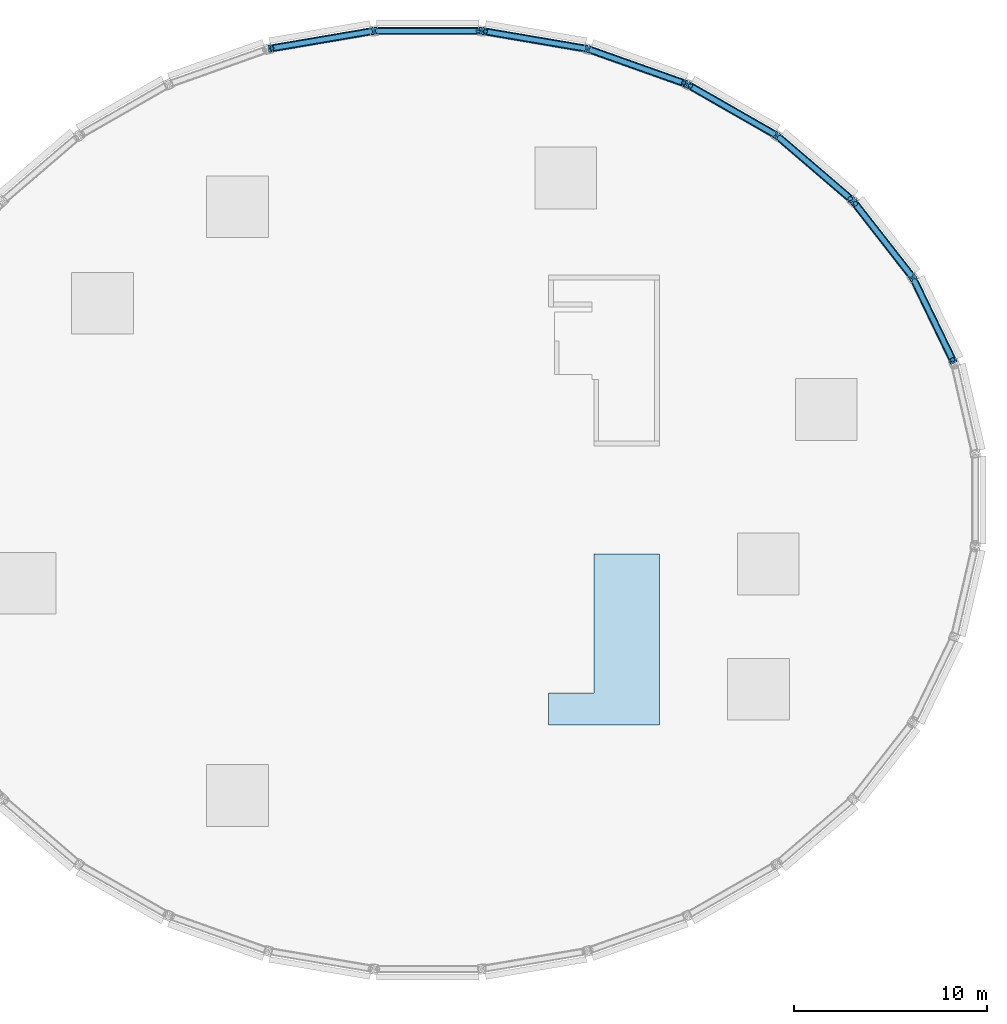
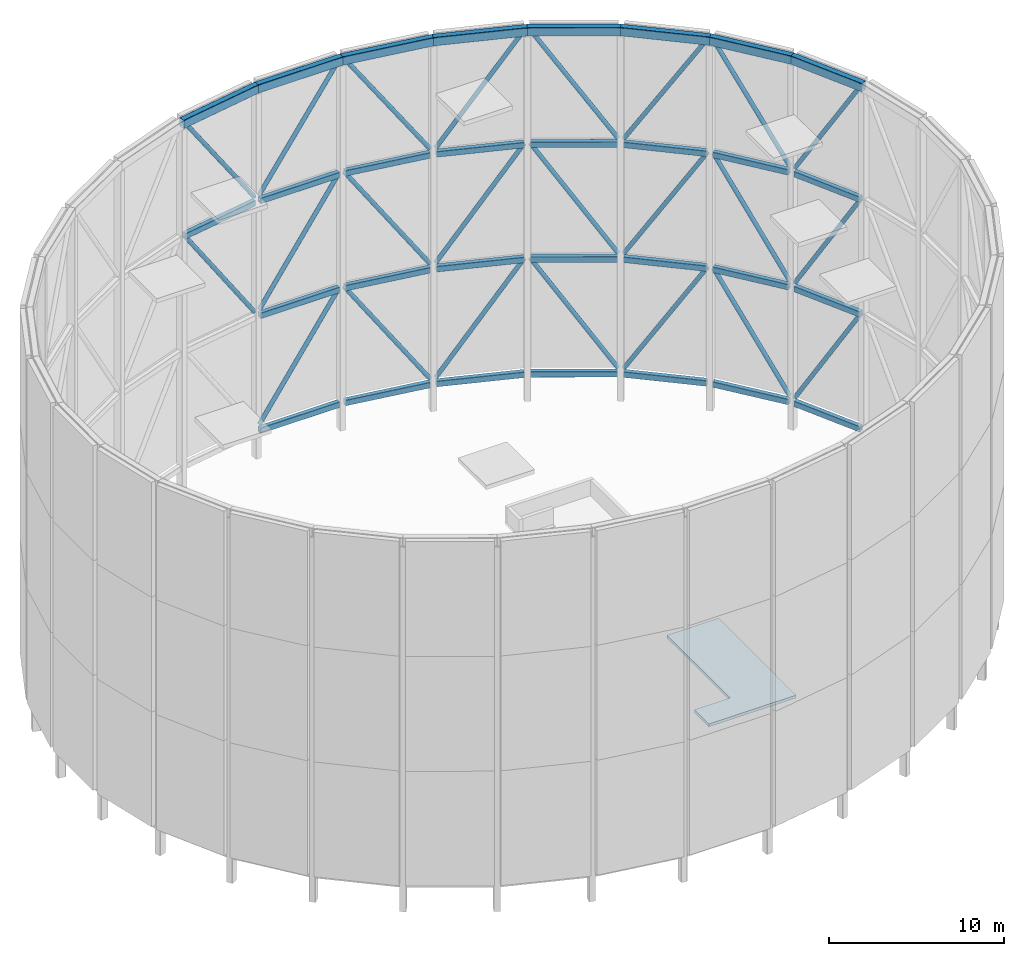
# One storey, part 6 of 8: 30 beams, 23 members, 1 slab.
"""IFC4 building model written with IfcOpenShell, lengths in metres."""

from ifc_helpers import new_model, si_unit, direction, frame, origin, origin_2d, place, context, subcontext, project, spatial, polyline, hollow_rectangle, hollow_circle, outline, extrude, material, layer, layer_set, material_profile, profile_set, type_object, element, save


model = new_model("IFC4")

# Units and contexts
model_context = context("Model", 3, precision=1e-05, world=origin(), true_north=direction((0.0, 1.0)))
body_context = subcontext(model_context, "Body", "Model", "MODEL_VIEW")
ifc_project = project(units=[si_unit("LENGTHUNIT", "METRE"), si_unit("AREAUNIT", "SQUARE_METRE"), si_unit("VOLUMEUNIT", "CUBIC_METRE"), si_unit("PLANEANGLEUNIT", "RADIAN"), si_unit("MASSUNIT", "GRAM", prefix="KILO")], contexts=[model_context])

# Site, building, storey
site_placement = place(None, origin())
site = spatial("IfcSite", under=ifc_project, at=site_placement, CompositionType="ELEMENT")
building_placement = place(site_placement, origin())
building = spatial("IfcBuilding", under=site, at=building_placement, Name="Halqa Exchange Tower", CompositionType="ELEMENT")
storey_placement = place(building_placement, frame((0.0, 0.0, 355.300048828125)))
storey = spatial("IfcBuildingStorey", under=building, at=storey_placement, Name="Roof level crown frame", CompositionType="ELEMENT", Elevation=355.300048828125)

# Members
ifc_material_1 = material(Name="Steel S355", Category="steel")
ifc_material_profile_1 = material_profile(ifc_material_1, hollow_circle(Radius=0.136474609375, WallThickness=0.01611328125, at=origin_2d()), Name="CHS 273x16")
ifc_profile_set_1 = profile_set([ifc_material_profile_1], Name="Steel S355")
member_type = type_object("IfcMemberType", Name="CROWN FRAME brace CHS 273x16", PredefinedType="BRACE", material=ifc_profile_set_1)
member_1_placement = place(storey_placement, frame((27.190185546875, 7.26220703125, 9.800048828125), z_axis=(-0.222905657614, 0.461287809526, -0.85879370316), x_axis=(-0.900387276879, -0.435089360516, 0.0)))
element("IfcMember", 1, at=member_1_placement, inside=storey, type_object=member_type, Name="Crown frame brace 2.2", PredefinedType="BRACE", context=body_context, shape_type="SweptSolid", body=[
    extrude(hollow_circle(Radius=0.136474609375, WallThickness=0.01611328125, at=origin_2d()), origin(), (0.0, 0.0, 1.0), 8.849853515625),
])
member_2_placement = place(storey_placement, frame((25.01806640625, 11.665283203125, 2.199951171875), z_axis=(-0.32180529833, 0.412815132212, 0.852071016162), x_axis=(-0.788678776102, -0.614805488041, 0.0)))
element("IfcMember", 2, at=member_2_placement, inside=storey, type_object=member_type, Name="Crown frame brace 2.3", PredefinedType="BRACE", context=body_context, shape_type="SweptSolid", body=[
    extrude(hollow_circle(Radius=0.136474609375, WallThickness=0.01611328125, at=origin_2d()), origin(), (0.0, 0.0, 1.0), 8.919677734375),
])
member_3_placement = place(storey_placement, frame((21.886474609375, 15.62109375, 9.800048828125), z_axis=(-0.406814817738, 0.34871778863, -0.844332640588), x_axis=(-0.650812216448, -0.759238736447, 0.0)))
element("IfcMember", 3, at=member_3_placement, inside=storey, type_object=member_type, Name="Crown frame brace 2.4", PredefinedType="BRACE", context=body_context, shape_type="SweptSolid", body=[
    extrude(hollow_circle(Radius=0.136474609375, WallThickness=0.01611328125, at=origin_2d()), origin(), (0.0, 0.0, 1.0), 9.001220703125),
])
member_4_placement = place(storey_placement, frame((17.915283203125, 18.97802734375, 2.199951171875), z_axis=(-0.475152360308, 0.27213002748, 0.836764890897), x_axis=(-0.496984556947, -0.867759384943, 0.0)))
element("IfcMember", 4, at=member_4_placement, inside=storey, type_object=member_type, Name="Crown frame brace 2.5", PredefinedType="BRACE", context=body_context, shape_type="SweptSolid", body=[
    extrude(hollow_circle(Radius=0.136474609375, WallThickness=0.01611328125, at=origin_2d()), origin(), (0.0, 0.0, 1.0), 9.082763671875),
])
member_5_placement = place(storey_placement, frame((13.255615234375, 21.607666015625, 9.800048828125), z_axis=(-0.52490509772, 0.186351314235, -0.830510581552), x_axis=(-0.334560791797, -0.942374170164, 0.0)))
element("IfcMember", 5, at=member_5_placement, inside=storey, type_object=member_type, Name="Crown frame brace 2.6", PredefinedType="BRACE", context=body_context, shape_type="SweptSolid", body=[
    extrude(hollow_circle(Radius=0.136474609375, WallThickness=0.01611328125, at=origin_2d()), origin(), (0.0, 0.0, 1.0), 9.151123046875),
])
member_6_placement = place(storey_placement, frame((8.085693359375, 23.40869140625, 2.199951171875), z_axis=(-0.555086491161, 0.094638132042, 0.826391318501), x_axis=(-0.168067416098, -0.985775503675, 0.0)))
element("IfcMember", 6, at=member_6_placement, inside=storey, type_object=member_type, Name="Crown frame brace 2.7", PredefinedType="BRACE", context=body_context, shape_type="SweptSolid", body=[
    extrude(hollow_circle(Radius=0.136474609375, WallThickness=0.01611328125, at=origin_2d()), origin(), (0.0, 0.0, 1.0), 9.19677734375),
])
member_7_placement = place(storey_placement, frame((2.603515625, 24.31103515625, 9.800048828125), z_axis=(-0.565198711806, 0.0, -0.824954796442), x_axis=(0.0, -1.0, 0.0)))
element("IfcMember", 7, at=member_7_placement, inside=storey, type_object=member_type, Name="Crown frame brace 2.8", PredefinedType="BRACE", context=body_context, shape_type="SweptSolid", body=[
    extrude(hollow_circle(Radius=0.136474609375, WallThickness=0.01611328125, at=origin_2d()), origin(), (0.0, 0.0, 1.0), 9.212646484375),
])
member_8_placement = place(storey_placement, frame((27.190185546875, 7.26220703125, 17.800048828125), z_axis=(-0.222905657614, 0.461287809526, -0.85879370316), x_axis=(-0.900387276879, -0.435089360516, 0.0)))
element("IfcMember", 8, at=member_8_placement, inside=storey, type_object=member_type, Name="Crown frame brace 3.2", PredefinedType="BRACE", context=body_context, shape_type="SweptSolid", body=[
    extrude(hollow_circle(Radius=0.136474609375, WallThickness=0.01611328125, at=origin_2d()), origin(), (0.0, 0.0, 1.0), 8.849853515625),
])
member_9_placement = place(storey_placement, frame((25.01806640625, 11.665283203125, 10.199951171875), z_axis=(-0.32180529833, 0.412815132212, 0.852071016162), x_axis=(-0.788678776102, -0.614805488041, 0.0)))
element("IfcMember", 9, at=member_9_placement, inside=storey, type_object=member_type, Name="Crown frame brace 3.3", PredefinedType="BRACE", context=body_context, shape_type="SweptSolid", body=[
    extrude(hollow_circle(Radius=0.136474609375, WallThickness=0.01611328125, at=origin_2d()), origin(), (0.0, 0.0, 1.0), 8.919677734375),
])
member_10_placement = place(storey_placement, frame((21.886474609375, 15.62109375, 17.800048828125), z_axis=(-0.406814817738, 0.34871778863, -0.844332640588), x_axis=(-0.650812216448, -0.759238736447, 0.0)))
element("IfcMember", 10, at=member_10_placement, inside=storey, type_object=member_type, Name="Crown frame brace 3.4", PredefinedType="BRACE", context=body_context, shape_type="SweptSolid", body=[
    extrude(hollow_circle(Radius=0.136474609375, WallThickness=0.01611328125, at=origin_2d()), origin(), (0.0, 0.0, 1.0), 9.001220703125),
])
member_11_placement = place(storey_placement, frame((17.915283203125, 18.97802734375, 10.199951171875), z_axis=(-0.475152360308, 0.27213002748, 0.836764890897), x_axis=(-0.496984556947, -0.867759384943, 0.0)))
element("IfcMember", 11, at=member_11_placement, inside=storey, type_object=member_type, Name="Crown frame brace 3.5", PredefinedType="BRACE", context=body_context, shape_type="SweptSolid", body=[
    extrude(hollow_circle(Radius=0.136474609375, WallThickness=0.01611328125, at=origin_2d()), origin(), (0.0, 0.0, 1.0), 9.082763671875),
])
member_12_placement = place(storey_placement, frame((13.255615234375, 21.607666015625, 17.800048828125), z_axis=(-0.52490509772, 0.186351314235, -0.830510581552), x_axis=(-0.334560791797, -0.942374170164, 0.0)))
element("IfcMember", 12, at=member_12_placement, inside=storey, type_object=member_type, Name="Crown frame brace 3.6", PredefinedType="BRACE", context=body_context, shape_type="SweptSolid", body=[
    extrude(hollow_circle(Radius=0.136474609375, WallThickness=0.01611328125, at=origin_2d()), origin(), (0.0, 0.0, 1.0), 9.151123046875),
])
member_13_placement = place(storey_placement, frame((8.085693359375, 23.40869140625, 10.199951171875), z_axis=(-0.555086491161, 0.094638132042, 0.826391318501), x_axis=(-0.168067416098, -0.985775503675, 0.0)))
element("IfcMember", 13, at=member_13_placement, inside=storey, type_object=member_type, Name="Crown frame brace 3.7", PredefinedType="BRACE", context=body_context, shape_type="SweptSolid", body=[
    extrude(hollow_circle(Radius=0.136474609375, WallThickness=0.01611328125, at=origin_2d()), origin(), (0.0, 0.0, 1.0), 9.19677734375),
])
member_14_placement = place(storey_placement, frame((2.603515625, 24.31103515625, 17.800048828125), z_axis=(-0.565198711806, 0.0, -0.824954796442), x_axis=(0.0, -1.0, 0.0)))
element("IfcMember", 14, at=member_14_placement, inside=storey, type_object=member_type, Name="Crown frame brace 3.8", PredefinedType="BRACE", context=body_context, shape_type="SweptSolid", body=[
    extrude(hollow_circle(Radius=0.136474609375, WallThickness=0.01611328125, at=origin_2d()), origin(), (0.0, 0.0, 1.0), 9.212646484375),
])
member_15_placement = place(storey_placement, frame((-2.980712890625, 24.279052734375, 10.199951171875), z_axis=(-0.555086491161, -0.094638132042, 0.826391318501), x_axis=(0.168067416098, -0.985775503675, 0.0)))
element("IfcMember", 15, at=member_15_placement, inside=storey, type_object=member_type, Name="Crown frame brace 3.9", PredefinedType="BRACE", context=body_context, shape_type="SweptSolid", body=[
    extrude(hollow_circle(Radius=0.136474609375, WallThickness=0.01611328125, at=origin_2d()), origin(), (0.0, 0.0, 1.0), 9.19677734375),
])
member_16_placement = place(storey_placement, frame((27.190185546875, 7.26220703125, 25.699951171875), z_axis=(-0.22508827003, 0.465804574651, -0.855781145462), x_axis=(-0.900387276879, -0.435089360516, 0.0)))
element("IfcMember", 16, at=member_16_placement, inside=storey, type_object=member_type, Name="Crown frame brace 4.2", PredefinedType="BRACE", context=body_context, shape_type="SweptSolid", body=[
    extrude(hollow_circle(Radius=0.136474609375, WallThickness=0.01611328125, at=origin_2d()), origin(), (0.0, 0.0, 1.0), 8.763916015625),
])
member_17_placement = place(storey_placement, frame((25.01806640625, 11.665283203125, 18.199951171875), z_axis=(-0.324906448646, 0.416793319595, 0.848951782122), x_axis=(-0.788678776102, -0.614805488041, 0.0)))
element("IfcMember", 17, at=member_17_placement, inside=storey, type_object=member_type, Name="Crown frame brace 4.3", PredefinedType="BRACE", context=body_context, shape_type="SweptSolid", body=[
    extrude(hollow_circle(Radius=0.136474609375, WallThickness=0.01611328125, at=origin_2d()), origin(), (0.0, 0.0, 1.0), 8.83447265625),
])
member_18_placement = place(storey_placement, frame((21.886474609375, 15.62109375, 25.699951171875), z_axis=(-0.410663287748, 0.352016660482, -0.841094486273), x_axis=(-0.650812216448, -0.759238736447, 0.0)))
element("IfcMember", 18, at=member_18_placement, inside=storey, type_object=member_type, Name="Crown frame brace 4.4", PredefinedType="BRACE", context=body_context, shape_type="SweptSolid", body=[
    extrude(hollow_circle(Radius=0.136474609375, WallThickness=0.01611328125, at=origin_2d()), origin(), (0.0, 0.0, 1.0), 8.9169921875),
])
member_19_placement = place(storey_placement, frame((17.915283203125, 18.97802734375, 18.199951171875), z_axis=(-0.479565967415, 0.274657795673, 0.833414409627), x_axis=(-0.496984556947, -0.867759384943, 0.0)))
element("IfcMember", 19, at=member_19_placement, inside=storey, type_object=member_type, Name="Crown frame brace 4.5", PredefinedType="BRACE", context=body_context, shape_type="SweptSolid", body=[
    extrude(hollow_circle(Radius=0.136474609375, WallThickness=0.01611328125, at=origin_2d()), origin(), (0.0, 0.0, 1.0), 8.9990234375),
])
member_20_placement = place(storey_placement, frame((13.255615234375, 21.607666015625, 25.699951171875), z_axis=(-0.529707235587, 0.188056164705, -0.827070204688), x_axis=(-0.334560791797, -0.942374170164, 0.0)))
element("IfcMember", 20, at=member_20_placement, inside=storey, type_object=member_type, Name="Crown frame brace 4.6", PredefinedType="BRACE", context=body_context, shape_type="SweptSolid", body=[
    extrude(hollow_circle(Radius=0.136474609375, WallThickness=0.01611328125, at=origin_2d()), origin(), (0.0, 0.0, 1.0), 9.068115234375),
])
member_21_placement = place(storey_placement, frame((8.085693359375, 23.40869140625, 18.199951171875), z_axis=(-0.560113810766, 0.095495252768, 0.822893173923), x_axis=(-0.168067416098, -0.985775503675, 0.0)))
element("IfcMember", 21, at=member_21_placement, inside=storey, type_object=member_type, Name="Crown frame brace 4.7", PredefinedType="BRACE", context=body_context, shape_type="SweptSolid", body=[
    extrude(hollow_circle(Radius=0.136474609375, WallThickness=0.01611328125, at=origin_2d()), origin(), (0.0, 0.0, 1.0), 9.1142578125),
])
member_22_placement = place(storey_placement, frame((2.603515625, 24.31103515625, 25.699951171875), z_axis=(-0.570299593571, 0.0, -0.821436773935), x_axis=(0.0, -1.0, 0.0)))
element("IfcMember", 22, at=member_22_placement, inside=storey, type_object=member_type, Name="Crown frame brace 4.8", PredefinedType="BRACE", context=body_context, shape_type="SweptSolid", body=[
    extrude(hollow_circle(Radius=0.136474609375, WallThickness=0.01611328125, at=origin_2d()), origin(), (0.0, 0.0, 1.0), 9.13037109375),
])
member_23_placement = place(storey_placement, frame((-2.980712890625, 24.279052734375, 18.199951171875), z_axis=(-0.560113810766, -0.095495252768, 0.822893173923), x_axis=(0.168067416098, -0.985775503675, 0.0)))
element("IfcMember", 23, at=member_23_placement, inside=storey, type_object=member_type, Name="Crown frame brace 4.9", PredefinedType="BRACE", context=body_context, shape_type="SweptSolid", body=[
    extrude(hollow_circle(Radius=0.136474609375, WallThickness=0.01611328125, at=origin_2d()), origin(), (0.0, 0.0, 1.0), 9.1142578125),
])

# Beams
ifc_material_profile_2 = material_profile(ifc_material_1, hollow_rectangle(XDim=0.39990234375, YDim=0.60009765625, WallThickness=0.02490234375, InnerFilletRadius=0.03759765625, OuterFilletRadius=0.050048828125, at=origin_2d()), Name="RHS 600x400x25")
ifc_profile_set_2 = profile_set([ifc_material_profile_2], Name="Steel S355")
beam_type_1 = type_object("IfcBeamType", Name="CROWN FRAME cap beam RHS 600x400x25", PredefinedType="BEAM", material=ifc_profile_set_2)
beam_1_placement = place(storey_placement, frame((27.272705078125, 7.09130859375, 25.699951171875), z_axis=(-0.435089449645, 0.90038723381, 0.0), x_axis=(-0.90038723381, -0.435089449645, 0.0)))
element("IfcBeam", 24, at=beam_1_placement, inside=storey, type_object=beam_type_1, Name="Crown frame cap beam 4.2", PredefinedType="BEAM", context=body_context, shape_type="SweptSolid", body=[
    extrude(hollow_rectangle(XDim=0.39990234375, YDim=0.60009765625, WallThickness=0.02490234375, InnerFilletRadius=0.03759765625, OuterFilletRadius=0.050048828125, at=origin_2d()), origin(), (0.0, 0.0, 1.0), 4.913818359375),
])
beam_2_placement = place(storey_placement, frame((25.134765625, 11.515625, 25.699951171875), z_axis=(-0.614820715009, 0.788666905858, 0.0), x_axis=(-0.788666905858, -0.614820715009, 0.0)))
element("IfcBeam", 25, at=beam_2_placement, inside=storey, type_object=beam_type_1, Name="Crown frame cap beam 4.3", PredefinedType="BEAM", context=body_context, shape_type="SweptSolid", body=[
    extrude(hollow_rectangle(XDim=0.39990234375, YDim=0.60009765625, WallThickness=0.02490234375, InnerFilletRadius=0.03759765625, OuterFilletRadius=0.050048828125, at=origin_2d()), origin(), (0.0, 0.0, 1.0), 5.048583984375),
])
beam_3_placement = place(storey_placement, frame((22.03076171875, 15.497314453125, 25.699951171875), z_axis=(-0.759263226359, 0.650783645384, 0.0), x_axis=(-0.650783645384, -0.759263226359, 0.0)))
element("IfcBeam", 26, at=beam_3_placement, inside=storey, type_object=beam_type_1, Name="Crown frame cap beam 4.4", PredefinedType="BEAM", context=body_context, shape_type="SweptSolid", body=[
    extrude(hollow_rectangle(XDim=0.39990234375, YDim=0.60009765625, WallThickness=0.02490234375, InnerFilletRadius=0.03759765625, OuterFilletRadius=0.050048828125, at=origin_2d()), origin(), (0.0, 0.0, 1.0), 5.203369140625),
])
beam_4_placement = place(storey_placement, frame((18.080078125, 18.883544921875, 25.699951171875), z_axis=(-0.867743142166, 0.497012916557, 0.0), x_axis=(-0.497012916557, -0.867743142166, 0.0)))
element("IfcBeam", 27, at=beam_4_placement, inside=storey, type_object=beam_type_1, Name="Crown frame cap beam 4.5", PredefinedType="BEAM", context=body_context, shape_type="SweptSolid", body=[
    extrude(hollow_rectangle(XDim=0.39990234375, YDim=0.60009765625, WallThickness=0.02490234375, InnerFilletRadius=0.03759765625, OuterFilletRadius=0.050048828125, at=origin_2d()), origin(), (0.0, 0.0, 1.0), 5.353271484375),
])
beam_5_placement = place(storey_placement, frame((13.434814453125, 21.544189453125, 25.699951171875), z_axis=(-0.942371541637, 0.334568195607, 0.0), x_axis=(-0.334568195607, -0.942371541637, 0.0)))
element("IfcBeam", 28, at=beam_5_placement, inside=storey, type_object=beam_type_1, Name="Crown frame cap beam 4.6", PredefinedType="BEAM", context=body_context, shape_type="SweptSolid", body=[
    extrude(hollow_rectangle(XDim=0.39990234375, YDim=0.60009765625, WallThickness=0.02490234375, InnerFilletRadius=0.03759765625, OuterFilletRadius=0.050048828125, at=origin_2d()), origin(), (0.0, 0.0, 1.0), 5.477294921875),
])
beam_6_placement = place(storey_placement, frame((8.273193359375, 23.376708984375, 25.699951171875), z_axis=(-0.985773365206, 0.168079958505, 0.0), x_axis=(-0.168079958505, -0.985773365206, 0.0)))
element("IfcBeam", 29, at=beam_6_placement, inside=storey, type_object=beam_type_1, Name="Crown frame cap beam 4.7", PredefinedType="BEAM", context=body_context, shape_type="SweptSolid", body=[
    extrude(hollow_rectangle(XDim=0.39990234375, YDim=0.60009765625, WallThickness=0.02490234375, InnerFilletRadius=0.03759765625, OuterFilletRadius=0.050048828125, at=origin_2d()), origin(), (0.0, 0.0, 1.0), 5.558837890625),
])
beam_7_placement = place(storey_placement, frame((2.79345703125, 24.31103515625, 25.699951171875), z_axis=(-1.0, 0.0, 0.0), x_axis=(0.0, -1.0, 0.0)))
element("IfcBeam", 30, at=beam_7_placement, inside=storey, type_object=beam_type_1, Name="Crown frame cap beam 4.8", PredefinedType="BEAM", context=body_context, shape_type="SweptSolid", body=[
    extrude(hollow_rectangle(XDim=0.39990234375, YDim=0.60009765625, WallThickness=0.02490234375, InnerFilletRadius=0.03759765625, OuterFilletRadius=0.050048828125, at=origin_2d()), origin(), (0.0, 0.0, 1.0), 5.5869140625),
])
beam_8_placement = place(storey_placement, frame((-2.79345703125, 24.31103515625, 25.699951171875), z_axis=(-0.985773365206, -0.168079958505, 0.0), x_axis=(0.168079958505, -0.985773365206, 0.0)))
element("IfcBeam", 31, at=beam_8_placement, inside=storey, type_object=beam_type_1, Name="Crown frame cap beam 4.9", PredefinedType="BEAM", context=body_context, shape_type="SweptSolid", body=[
    extrude(hollow_rectangle(XDim=0.39990234375, YDim=0.60009765625, WallThickness=0.02490234375, InnerFilletRadius=0.03759765625, OuterFilletRadius=0.050048828125, at=origin_2d()), origin(), (0.0, 0.0, 1.0), 5.558837890625),
])
ifc_material_profile_3 = material_profile(ifc_material_1, hollow_rectangle(XDim=0.300048828125, YDim=0.39990234375, WallThickness=0.01611328125, InnerFilletRadius=0.02392578125, OuterFilletRadius=0.031982421875, at=origin_2d()), Name="RHS 400x300x16")
ifc_profile_set_3 = profile_set([ifc_material_profile_3], Name="Steel S355")
beam_type_2 = type_object("IfcBeamType", Name="CROWN FRAME ring beam RHS 400x300x16", PredefinedType="BEAM", material=ifc_profile_set_3)
beam_9_placement = place(storey_placement, frame((27.190185546875, 7.26220703125, 1.800048828125), z_axis=(-0.435089360516, 0.900387276879, 0.0), x_axis=(-0.900387276879, -0.435089360516, 0.0)))
element("IfcBeam", 32, at=beam_9_placement, inside=storey, type_object=beam_type_2, Name="Crown frame ring beam 1.2", PredefinedType="BEAM", context=body_context, shape_type="SweptSolid", body=[
    extrude(hollow_rectangle(XDim=0.300048828125, YDim=0.39990234375, WallThickness=0.01611328125, InnerFilletRadius=0.02392578125, OuterFilletRadius=0.031982421875, at=origin_2d()), origin(), (0.0, 0.0, 1.0), 4.533935546875),
])
beam_10_placement = place(storey_placement, frame((25.01806640625, 11.665283203125, 1.800048828125), z_axis=(-0.614805488041, 0.788678776102, 0.0), x_axis=(-0.788678776102, -0.614805488041, 0.0)))
element("IfcBeam", 33, at=beam_10_placement, inside=storey, type_object=beam_type_2, Name="Crown frame ring beam 1.3", PredefinedType="BEAM", context=body_context, shape_type="SweptSolid", body=[
    extrude(hollow_rectangle(XDim=0.300048828125, YDim=0.39990234375, WallThickness=0.01611328125, InnerFilletRadius=0.02392578125, OuterFilletRadius=0.031982421875, at=origin_2d()), origin(), (0.0, 0.0, 1.0), 4.668701171875),
])
beam_11_placement = place(storey_placement, frame((21.886474609375, 15.62109375, 1.800048828125), z_axis=(-0.759238736447, 0.650812216448, 0.0), x_axis=(-0.650812216448, -0.759238736447, 0.0)))
element("IfcBeam", 34, at=beam_11_placement, inside=storey, type_object=beam_type_2, Name="Crown frame ring beam 1.4", PredefinedType="BEAM", context=body_context, shape_type="SweptSolid", body=[
    extrude(hollow_rectangle(XDim=0.300048828125, YDim=0.39990234375, WallThickness=0.01611328125, InnerFilletRadius=0.02392578125, OuterFilletRadius=0.031982421875, at=origin_2d()), origin(), (0.0, 0.0, 1.0), 4.822998046875),
])
beam_12_placement = place(storey_placement, frame((17.915283203125, 18.97802734375, 1.800048828125), z_axis=(-0.867759384943, 0.496984556947, 0.0), x_axis=(-0.496984556947, -0.867759384943, 0.0)))
element("IfcBeam", 35, at=beam_12_placement, inside=storey, type_object=beam_type_2, Name="Crown frame ring beam 1.5", PredefinedType="BEAM", context=body_context, shape_type="SweptSolid", body=[
    extrude(hollow_rectangle(XDim=0.300048828125, YDim=0.39990234375, WallThickness=0.01611328125, InnerFilletRadius=0.02392578125, OuterFilletRadius=0.031982421875, at=origin_2d()), origin(), (0.0, 0.0, 1.0), 4.973388671875),
])
beam_13_placement = place(storey_placement, frame((13.255615234375, 21.607666015625, 1.800048828125), z_axis=(-0.942374170164, 0.334560791797, 0.0), x_axis=(-0.334560791797, -0.942374170164, 0.0)))
element("IfcBeam", 36, at=beam_13_placement, inside=storey, type_object=beam_type_2, Name="Crown frame ring beam 1.6", PredefinedType="BEAM", context=body_context, shape_type="SweptSolid", body=[
    extrude(hollow_rectangle(XDim=0.300048828125, YDim=0.39990234375, WallThickness=0.01611328125, InnerFilletRadius=0.02392578125, OuterFilletRadius=0.031982421875, at=origin_2d()), origin(), (0.0, 0.0, 1.0), 5.09716796875),
])
beam_14_placement = place(storey_placement, frame((8.085693359375, 23.40869140625, 1.800048828125), z_axis=(-0.985775503675, 0.168067416098, 0.0), x_axis=(-0.168067416098, -0.985775503675, 0.0)))
element("IfcBeam", 37, at=beam_14_placement, inside=storey, type_object=beam_type_2, Name="Crown frame ring beam 1.7", PredefinedType="BEAM", context=body_context, shape_type="SweptSolid", body=[
    extrude(hollow_rectangle(XDim=0.300048828125, YDim=0.39990234375, WallThickness=0.01611328125, InnerFilletRadius=0.02392578125, OuterFilletRadius=0.031982421875, at=origin_2d()), origin(), (0.0, 0.0, 1.0), 5.1787109375),
])
beam_15_placement = place(storey_placement, frame((2.603515625, 24.31103515625, 1.800048828125), z_axis=(-1.0, 0.0, 0.0), x_axis=(0.0, -1.0, 0.0)))
element("IfcBeam", 38, at=beam_15_placement, inside=storey, type_object=beam_type_2, Name="Crown frame ring beam 1.8", PredefinedType="BEAM", context=body_context, shape_type="SweptSolid", body=[
    extrude(hollow_rectangle(XDim=0.300048828125, YDim=0.39990234375, WallThickness=0.01611328125, InnerFilletRadius=0.02392578125, OuterFilletRadius=0.031982421875, at=origin_2d()), origin(), (0.0, 0.0, 1.0), 5.20703125),
])
beam_16_placement = place(storey_placement, frame((27.190185546875, 7.26220703125, 9.800048828125), z_axis=(-0.435089360516, 0.900387276879, 0.0), x_axis=(-0.900387276879, -0.435089360516, 0.0)))
element("IfcBeam", 39, at=beam_16_placement, inside=storey, type_object=beam_type_2, Name="Crown frame ring beam 2.2", PredefinedType="BEAM", context=body_context, shape_type="SweptSolid", body=[
    extrude(hollow_rectangle(XDim=0.300048828125, YDim=0.39990234375, WallThickness=0.01611328125, InnerFilletRadius=0.02392578125, OuterFilletRadius=0.031982421875, at=origin_2d()), origin(), (0.0, 0.0, 1.0), 4.533935546875),
])
beam_17_placement = place(storey_placement, frame((25.01806640625, 11.665283203125, 9.800048828125), z_axis=(-0.614805488041, 0.788678776102, 0.0), x_axis=(-0.788678776102, -0.614805488041, 0.0)))
element("IfcBeam", 40, at=beam_17_placement, inside=storey, type_object=beam_type_2, Name="Crown frame ring beam 2.3", PredefinedType="BEAM", context=body_context, shape_type="SweptSolid", body=[
    extrude(hollow_rectangle(XDim=0.300048828125, YDim=0.39990234375, WallThickness=0.01611328125, InnerFilletRadius=0.02392578125, OuterFilletRadius=0.031982421875, at=origin_2d()), origin(), (0.0, 0.0, 1.0), 4.668701171875),
])
beam_18_placement = place(storey_placement, frame((21.886474609375, 15.62109375, 9.800048828125), z_axis=(-0.759238736447, 0.650812216448, 0.0), x_axis=(-0.650812216448, -0.759238736447, 0.0)))
element("IfcBeam", 41, at=beam_18_placement, inside=storey, type_object=beam_type_2, Name="Crown frame ring beam 2.4", PredefinedType="BEAM", context=body_context, shape_type="SweptSolid", body=[
    extrude(hollow_rectangle(XDim=0.300048828125, YDim=0.39990234375, WallThickness=0.01611328125, InnerFilletRadius=0.02392578125, OuterFilletRadius=0.031982421875, at=origin_2d()), origin(), (0.0, 0.0, 1.0), 4.822998046875),
])
beam_19_placement = place(storey_placement, frame((17.915283203125, 18.97802734375, 9.800048828125), z_axis=(-0.867759384943, 0.496984556947, 0.0), x_axis=(-0.496984556947, -0.867759384943, 0.0)))
element("IfcBeam", 42, at=beam_19_placement, inside=storey, type_object=beam_type_2, Name="Crown frame ring beam 2.5", PredefinedType="BEAM", context=body_context, shape_type="SweptSolid", body=[
    extrude(hollow_rectangle(XDim=0.300048828125, YDim=0.39990234375, WallThickness=0.01611328125, InnerFilletRadius=0.02392578125, OuterFilletRadius=0.031982421875, at=origin_2d()), origin(), (0.0, 0.0, 1.0), 4.973388671875),
])
beam_20_placement = place(storey_placement, frame((13.255615234375, 21.607666015625, 9.800048828125), z_axis=(-0.942374170164, 0.334560791797, 0.0), x_axis=(-0.334560791797, -0.942374170164, 0.0)))
element("IfcBeam", 43, at=beam_20_placement, inside=storey, type_object=beam_type_2, Name="Crown frame ring beam 2.6", PredefinedType="BEAM", context=body_context, shape_type="SweptSolid", body=[
    extrude(hollow_rectangle(XDim=0.300048828125, YDim=0.39990234375, WallThickness=0.01611328125, InnerFilletRadius=0.02392578125, OuterFilletRadius=0.031982421875, at=origin_2d()), origin(), (0.0, 0.0, 1.0), 5.09716796875),
])
beam_21_placement = place(storey_placement, frame((8.085693359375, 23.40869140625, 9.800048828125), z_axis=(-0.985775503675, 0.168067416098, 0.0), x_axis=(-0.168067416098, -0.985775503675, 0.0)))
element("IfcBeam", 44, at=beam_21_placement, inside=storey, type_object=beam_type_2, Name="Crown frame ring beam 2.7", PredefinedType="BEAM", context=body_context, shape_type="SweptSolid", body=[
    extrude(hollow_rectangle(XDim=0.300048828125, YDim=0.39990234375, WallThickness=0.01611328125, InnerFilletRadius=0.02392578125, OuterFilletRadius=0.031982421875, at=origin_2d()), origin(), (0.0, 0.0, 1.0), 5.1787109375),
])
beam_22_placement = place(storey_placement, frame((2.603515625, 24.31103515625, 9.800048828125), z_axis=(-1.0, 0.0, 0.0), x_axis=(0.0, -1.0, 0.0)))
element("IfcBeam", 45, at=beam_22_placement, inside=storey, type_object=beam_type_2, Name="Crown frame ring beam 2.8", PredefinedType="BEAM", context=body_context, shape_type="SweptSolid", body=[
    extrude(hollow_rectangle(XDim=0.300048828125, YDim=0.39990234375, WallThickness=0.01611328125, InnerFilletRadius=0.02392578125, OuterFilletRadius=0.031982421875, at=origin_2d()), origin(), (0.0, 0.0, 1.0), 5.20703125),
])
beam_23_placement = place(storey_placement, frame((27.190185546875, 7.26220703125, 17.800048828125), z_axis=(-0.435089360516, 0.900387276879, 0.0), x_axis=(-0.900387276879, -0.435089360516, 0.0)))
element("IfcBeam", 46, at=beam_23_placement, inside=storey, type_object=beam_type_2, Name="Crown frame ring beam 3.2", PredefinedType="BEAM", context=body_context, shape_type="SweptSolid", body=[
    extrude(hollow_rectangle(XDim=0.300048828125, YDim=0.39990234375, WallThickness=0.01611328125, InnerFilletRadius=0.02392578125, OuterFilletRadius=0.031982421875, at=origin_2d()), origin(), (0.0, 0.0, 1.0), 4.533935546875),
])
beam_24_placement = place(storey_placement, frame((25.01806640625, 11.665283203125, 17.800048828125), z_axis=(-0.614805488041, 0.788678776102, 0.0), x_axis=(-0.788678776102, -0.614805488041, 0.0)))
element("IfcBeam", 47, at=beam_24_placement, inside=storey, type_object=beam_type_2, Name="Crown frame ring beam 3.3", PredefinedType="BEAM", context=body_context, shape_type="SweptSolid", body=[
    extrude(hollow_rectangle(XDim=0.300048828125, YDim=0.39990234375, WallThickness=0.01611328125, InnerFilletRadius=0.02392578125, OuterFilletRadius=0.031982421875, at=origin_2d()), origin(), (0.0, 0.0, 1.0), 4.668701171875),
])
beam_25_placement = place(storey_placement, frame((21.886474609375, 15.62109375, 17.800048828125), z_axis=(-0.759238736447, 0.650812216448, 0.0), x_axis=(-0.650812216448, -0.759238736447, 0.0)))
element("IfcBeam", 48, at=beam_25_placement, inside=storey, type_object=beam_type_2, Name="Crown frame ring beam 3.4", PredefinedType="BEAM", context=body_context, shape_type="SweptSolid", body=[
    extrude(hollow_rectangle(XDim=0.300048828125, YDim=0.39990234375, WallThickness=0.01611328125, InnerFilletRadius=0.02392578125, OuterFilletRadius=0.031982421875, at=origin_2d()), origin(), (0.0, 0.0, 1.0), 4.822998046875),
])
beam_26_placement = place(storey_placement, frame((17.915283203125, 18.97802734375, 17.800048828125), z_axis=(-0.867759384943, 0.496984556947, 0.0), x_axis=(-0.496984556947, -0.867759384943, 0.0)))
element("IfcBeam", 49, at=beam_26_placement, inside=storey, type_object=beam_type_2, Name="Crown frame ring beam 3.5", PredefinedType="BEAM", context=body_context, shape_type="SweptSolid", body=[
    extrude(hollow_rectangle(XDim=0.300048828125, YDim=0.39990234375, WallThickness=0.01611328125, InnerFilletRadius=0.02392578125, OuterFilletRadius=0.031982421875, at=origin_2d()), origin(), (0.0, 0.0, 1.0), 4.973388671875),
])
beam_27_placement = place(storey_placement, frame((13.255615234375, 21.607666015625, 17.800048828125), z_axis=(-0.942374170164, 0.334560791797, 0.0), x_axis=(-0.334560791797, -0.942374170164, 0.0)))
element("IfcBeam", 50, at=beam_27_placement, inside=storey, type_object=beam_type_2, Name="Crown frame ring beam 3.6", PredefinedType="BEAM", context=body_context, shape_type="SweptSolid", body=[
    extrude(hollow_rectangle(XDim=0.300048828125, YDim=0.39990234375, WallThickness=0.01611328125, InnerFilletRadius=0.02392578125, OuterFilletRadius=0.031982421875, at=origin_2d()), origin(), (0.0, 0.0, 1.0), 5.09716796875),
])
beam_28_placement = place(storey_placement, frame((8.085693359375, 23.40869140625, 17.800048828125), z_axis=(-0.985775503675, 0.168067416098, 0.0), x_axis=(-0.168067416098, -0.985775503675, 0.0)))
element("IfcBeam", 51, at=beam_28_placement, inside=storey, type_object=beam_type_2, Name="Crown frame ring beam 3.7", PredefinedType="BEAM", context=body_context, shape_type="SweptSolid", body=[
    extrude(hollow_rectangle(XDim=0.300048828125, YDim=0.39990234375, WallThickness=0.01611328125, InnerFilletRadius=0.02392578125, OuterFilletRadius=0.031982421875, at=origin_2d()), origin(), (0.0, 0.0, 1.0), 5.1787109375),
])
beam_29_placement = place(storey_placement, frame((2.603515625, 24.31103515625, 17.800048828125), z_axis=(-1.0, 0.0, 0.0), x_axis=(0.0, -1.0, 0.0)))
element("IfcBeam", 52, at=beam_29_placement, inside=storey, type_object=beam_type_2, Name="Crown frame ring beam 3.8", PredefinedType="BEAM", context=body_context, shape_type="SweptSolid", body=[
    extrude(hollow_rectangle(XDim=0.300048828125, YDim=0.39990234375, WallThickness=0.01611328125, InnerFilletRadius=0.02392578125, OuterFilletRadius=0.031982421875, at=origin_2d()), origin(), (0.0, 0.0, 1.0), 5.20703125),
])
beam_30_placement = place(storey_placement, frame((-2.980712890625, 24.279052734375, 17.800048828125), z_axis=(-0.985775503675, -0.168067416098, 0.0), x_axis=(0.168067416098, -0.985775503675, 0.0)))
element("IfcBeam", 53, at=beam_30_placement, inside=storey, type_object=beam_type_2, Name="Crown frame ring beam 3.9", PredefinedType="BEAM", context=body_context, shape_type="SweptSolid", body=[
    extrude(hollow_rectangle(XDim=0.300048828125, YDim=0.39990234375, WallThickness=0.01611328125, InnerFilletRadius=0.02392578125, OuterFilletRadius=0.031982421875, at=origin_2d()), origin(), (0.0, 0.0, 1.0), 5.1787109375),
])

# Slab
ifc_material_2 = material(Name="Concrete C30/37", Category="concrete")
ifc_layer = layer(ifc_material_2, 0.199951171875)
ifc_layer_set = layer_set([ifc_layer], Name="Concrete C30/37")
slab_type = type_object("IfcSlabType", Name="Head-house roof slab 200", PredefinedType="ROOF", material=ifc_layer_set)
slab_placement = place(storey_placement, frame((0.0, 0.0, -0.199951171875)))
element("IfcSlab", 54, at=slab_placement, inside=storey, type_object=slab_type, Name="Penthouse roof FF-S", PredefinedType="ROOF", context=body_context, shape_type="SweptSolid", body=[
    extrude(outline(polyline([(8.60009765625, -10.0), (6.25, -10.0), (6.25, -11.64990234375), (12.0, -11.64990234375), (12.0, -2.800048828125), (8.60009765625, -2.800048828125), (8.60009765625, -10.0)])), origin(), (0.0, 0.0, 1.0), 0.199951171875),
])

save(model, "model.ifc")
